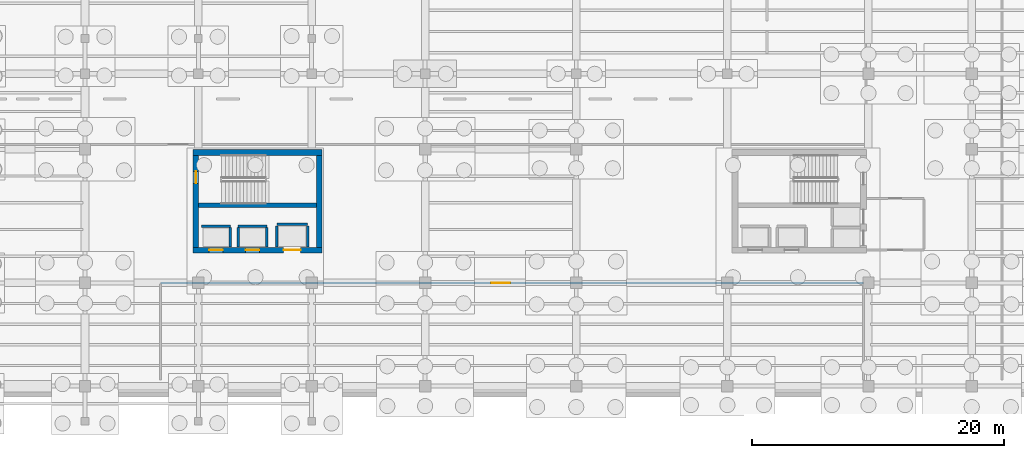
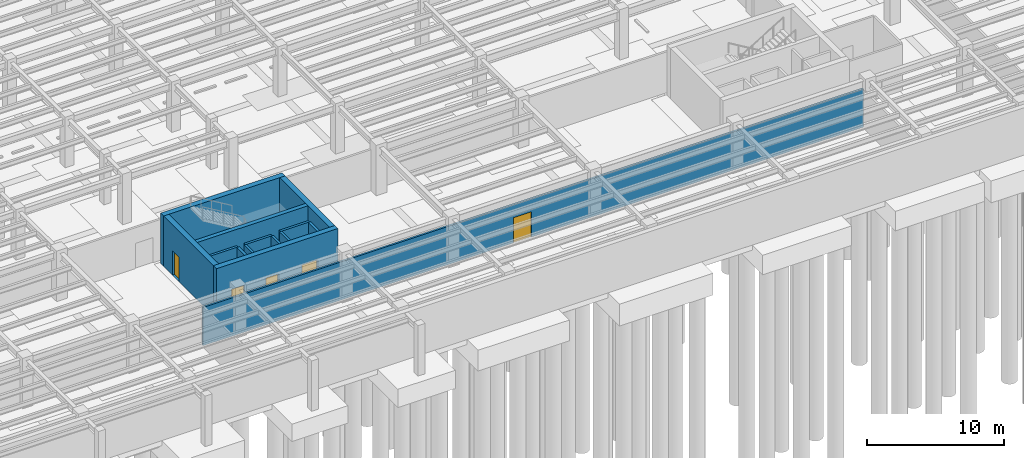
# One storey, part 35 of 49: 14 walls, 5 doors, 5 openings.
"""IFC4 building model written with IfcOpenShell, lengths in metres."""

from ifc_helpers import new_model, si_unit, direction, frame, frame_2d, origin, place, context, subcontext, project, spatial, rectangle, extrude, material, layer, layer_set, type_object, element, fill, save


model = new_model("IFC4")

# Units and contexts
model_context = context("Model", 3, precision=1e-05, world=origin(), true_north=direction((0.0, 1.0)))
body_context = subcontext(model_context, "Body", "Model", "MODEL_VIEW")
ifc_project = project(units=[si_unit("LENGTHUNIT", "METRE"), si_unit("AREAUNIT", "SQUARE_METRE"), si_unit("VOLUMEUNIT", "CUBIC_METRE"), si_unit("PLANEANGLEUNIT", "RADIAN"), si_unit("MASSUNIT", "GRAM", prefix="KILO")], contexts=[model_context])

# Site, building, storey
site_placement = place(None, origin())
site = spatial("IfcSite", under=ifc_project, at=site_placement, CompositionType="ELEMENT")
building_placement = place(site_placement, origin())
building = spatial("IfcBuilding", under=site, at=building_placement, Name="Sollismere Congress Hotel", CompositionType="ELEMENT")
storey_placement = place(building_placement, frame((0.0, 0.0, -4.5)))
storey = spatial("IfcBuildingStorey", under=building, at=storey_placement, Name="B1", CompositionType="ELEMENT", Elevation=-4.5)

# Walls
ifc_material_1 = material(Name="Moisture-Resistant Shaft Gypsum Assembly")
ifc_layer_1 = layer(ifc_material_1, 0.199951171875, Name="Moisture-Resistant Shaft Gypsum Assembly")
ifc_layer_set_1 = layer_set([ifc_layer_1], Name="Moisture-Resistant Shaft Gypsum Assembly")
wall_type_1 = type_object("IfcWallType", Name="WL-PLM200", PredefinedType="PLUMBINGWALL", material=ifc_layer_set_1)
wall_1_placement = place(storey_placement, frame((94.2548828125, 12.68994140625, 0.0), z_axis=(0.0, 0.0, 1.0), x_axis=(1.0, 0.0, 0.0)))
element("IfcWall", 1, at=wall_1_placement, inside=storey, type_object=wall_type_1, Name="Interior wall IW-B1-0214", PredefinedType="PLUMBINGWALL", context=body_context, shape_type="SweptSolid", body=[
    extrude(rectangle(XDim=2.2900390625, YDim=0.199951171875, at=frame_2d((1.14501953125, 0.0))), origin(), (0.0, 0.0, 1.0), 4.175048828125),
])
wall_2_placement = place(storey_placement, frame((96.544921875, 11.037109375, 0.0), z_axis=(0.0, 0.0, 1.0), x_axis=(0.0, 1.0, 0.0)))
element("IfcWall", 2, at=wall_2_placement, inside=storey, type_object=wall_type_1, Name="Interior wall IW-B1-0215", PredefinedType="PLUMBINGWALL", context=body_context, shape_type="SweptSolid", body=[
    extrude(rectangle(XDim=1.540771484375, YDim=0.199951171875, at=frame_2d((0.7705078125, 0.0))), origin(), (0.0, 0.0, 1.0), 4.175048828125),
])
wall_3_placement = place(storey_placement, frame((97.155029296875, 12.68994140625, 0.0), z_axis=(0.0, 0.0, 1.0), x_axis=(1.0, 0.0, 0.0)))
element("IfcWall", 3, at=wall_3_placement, inside=storey, type_object=wall_type_1, Name="Interior wall IW-B1-0216", PredefinedType="PLUMBINGWALL", context=body_context, shape_type="SweptSolid", body=[
    extrude(rectangle(XDim=2.2900390625, YDim=0.199951171875, at=frame_2d((1.14501953125, 0.0))), origin(), (0.0, 0.0, 1.0), 4.175048828125),
])
for number, where, z_axis, x_axis, name in (
    (4, (97.155029296875, 11.037109375, 0.0), (0.0, 0.0, 1.0), (0.0, 1.0, 0.0), "Interior wall IW-B1-0217"),
    (5, (99.445068359375, 11.037109375, 0.0), (0.0, 0.0, 1.0), (0.0, 1.0, 0.0), "Interior wall IW-B1-0218"),
):
    element("IfcWall", number, at=place(storey_placement, frame(where, z_axis=z_axis, x_axis=x_axis)), inside=storey, type_object=wall_type_1, Name=name, PredefinedType="PLUMBINGWALL", context=body_context, shape_type="SweptSolid", body=[
        extrude(rectangle(XDim=1.540771484375, YDim=0.199951171875, at=frame_2d((0.7705078125, 0.0))), origin(), (0.0, 0.0, 1.0), 4.175048828125),
    ])
wall_4_placement = place(storey_placement, frame((100.22998046875, 12.844970703125, 0.0), z_axis=(0.0, 0.0, 1.0), x_axis=(1.0, 0.0, 0.0)))
element("IfcWall", 6, at=wall_4_placement, inside=storey, type_object=wall_type_1, Name="Interior wall IW-B1-0219", PredefinedType="PLUMBINGWALL", context=body_context, shape_type="SweptSolid", body=[
    extrude(rectangle(XDim=2.43994140625, YDim=0.199951171875, at=frame_2d((1.219970703125, 0.0))), origin(), (0.0, 0.0, 1.0), 4.175048828125),
])
for number, where, z_axis, x_axis, name in (
    (7, (100.22998046875, 11.037109375, 0.0), (0.0, 0.0, 1.0), (0.0, 1.0, 0.0), "Interior wall IW-B1-0220"),
    (8, (102.669921875, 11.037109375, 0.0), (0.0, 0.0, 1.0), (0.0, 1.0, 0.0), "Interior wall IW-B1-0221"),
):
    element("IfcWall", number, at=place(storey_placement, frame(where, z_axis=z_axis, x_axis=x_axis)), inside=storey, type_object=wall_type_1, Name=name, PredefinedType="PLUMBINGWALL", context=body_context, shape_type="SweptSolid", body=[
        extrude(rectangle(XDim=1.69580078125, YDim=0.199951171875, at=frame_2d((0.847900390625, 0.0))), origin(), (0.0, 0.0, 1.0), 4.175048828125),
    ])

# Wall, opening, door
ifc_material_2 = material(Name="Fire-Rated Acoustic Gypsum Partition")
ifc_layer_2 = layer(ifc_material_2, 0.1650390625, Name="Fire-Rated Acoustic Gypsum Partition")
ifc_layer_set_2 = layer_set([ifc_layer_2], Name="Fire-Rated Acoustic Gypsum Partition")
wall_type_2 = type_object("IfcWallType", Name="WL-PRT165R", PredefinedType="PARTITIONING", material=ifc_layer_set_2)
wall_5_placement = place(storey_placement, frame((91.0, 8.199951171875, 0.0), z_axis=(0.0, 0.0, 1.0), x_axis=(1.0, 0.0, 0.0)))
wall_5 = element("IfcWall", 9, at=wall_5_placement, inside=storey, type_object=wall_type_2, Name="Interior wall IW-B1-0757", PredefinedType="PARTITIONING", context=body_context, shape_type="SweptSolid", body=[
    extrude(rectangle(XDim=55.800048828125, YDim=0.1650390625, at=frame_2d((27.89990234375, 0.0))), origin(), (0.0, 0.0, 1.0), 3.4130859375),
])
opening_1_placement = place(wall_5_placement, frame((26.25, 0.0, 0.0)))
opening_1 = element("IfcOpeningElement", 10, at=opening_1_placement, cuts=wall_5, Name="Opening D-B1-0249", PredefinedType="OPENING", context=body_context, shape_type="SweptSolid", body=[
    extrude(rectangle(XDim=1.5, YDim=2.25, at=frame_2d((0.75, 1.125))), frame((0.0, 0.092529296875, 0.0), z_axis=(0.0, -1.0, 0.0), x_axis=(1.0, 0.0, 0.0)), (0.0, 0.0, 1.0), 0.18505859375),
])
ifc_material_3 = material(Name="Fire-Rated Double Plant Room Door")
door_type_1 = type_object("IfcDoorType", Name="DR-PL150", OperationType="NOTDEFINED", PredefinedType="DOOR", material=ifc_material_3)
door_1_placement = place(opening_1_placement, origin())
door_1 = element("IfcDoor", 11, at=door_1_placement, inside=storey, type_object=door_type_1, Name="Interior door D-B1-0249", OperationType="DOUBLE_DOOR_SINGLE_SWING", OverallHeight=2.25, OverallWidth=1.5, PredefinedType="DOOR", context=body_context, shape_type="SweptSolid", body=[
    extrude(rectangle(XDim=1.5, YDim=2.25, at=frame_2d((0.75, 1.125))), frame((0.0, 0.02490234375, 0.0), z_axis=(0.0, -1.0, 0.0), x_axis=(1.0, 0.0, 0.0)), (0.0, 0.0, 1.0), 0.050048828125),
])
fill(opening_1, door_1)

# Wall
ifc_material_4 = material(Name="Concrete C50/60", Category="concrete")
ifc_layer_3 = layer(ifc_material_4, 0.35009765625, Name="Concrete C50/60")
ifc_layer_set_3 = layer_set([ifc_layer_3], Name="Concrete C50/60")
wall_type_3 = type_object("IfcWallType", Name="WL-SHR350", PredefinedType="SHEAR", material=ifc_layer_set_3)
wall_6_placement = place(storey_placement, frame((94.02490234375, 14.35009765625, 0.0), z_axis=(0.0, 0.0, 1.0), x_axis=(1.0, 0.0, 0.0)))
element("IfcWall", 12, at=wall_6_placement, inside=storey, type_object=wall_type_3, Name="Interior wall IW-B1-0213", PredefinedType="SHEAR", context=body_context, shape_type="SweptSolid", body=[
    extrude(rectangle(XDim=9.35009765625, YDim=0.35009765625, at=frame_2d((4.675048828125, 0.0))), origin(), (0.0, 0.0, 1.0), 4.5),
])

# Wall, openings, doors
ifc_layer_4 = layer(ifc_material_4, 0.449951171875, Name="Concrete C50/60")
ifc_layer_set_4 = layer_set([ifc_layer_4], Name="Concrete C50/60")
wall_type_4 = type_object("IfcWallType", Name="WL-SHR450", PredefinedType="SHEAR", material=ifc_layer_set_4)
wall_7_placement = place(storey_placement, frame((93.574951171875, 10.800048828125, 0.0), z_axis=(0.0, 0.0, 1.0), x_axis=(1.0, 0.0, 0.0)))
wall_7 = element("IfcWall", 13, at=wall_7_placement, inside=storey, type_object=wall_type_4, Name="Interior wall IW-B1-0209", PredefinedType="SHEAR", context=body_context, shape_type="SweptSolid", body=[
    extrude(rectangle(XDim=10.25, YDim=0.449951171875, at=frame_2d((5.125, 0.0))), origin(), (0.0, 0.0, 1.0), 4.5),
])
opening_2_placement = place(wall_7_placement, frame((1.27490234375, 0.0, 0.0)))
opening_2 = element("IfcOpeningElement", 14, at=opening_2_placement, cuts=wall_7, Name="Opening LD-LP-03-B1", PredefinedType="OPENING", context=body_context, shape_type="SweptSolid", body=[
    extrude(rectangle(XDim=1.10009765625, YDim=2.199951171875, at=frame_2d((0.550048828125, 1.10009765625))), frame((0.0, 0.23486328125, 0.0), z_axis=(0.0, -1.0, 0.0), x_axis=(1.0, 0.0, 0.0)), (0.0, 0.0, 1.0), 0.469970703125),
])
opening_3_placement = place(wall_7_placement, frame((4.175048828125, 0.0, 0.0)))
opening_3 = element("IfcOpeningElement", 15, at=opening_3_placement, cuts=wall_7, Name="Opening LD-LP-04-B1", PredefinedType="OPENING", context=body_context, shape_type="SweptSolid", body=[
    extrude(rectangle(XDim=1.10009765625, YDim=2.199951171875, at=frame_2d((0.550048828125, 1.10009765625))), frame((0.0, 0.23486328125, 0.0), z_axis=(0.0, -1.0, 0.0), x_axis=(1.0, 0.0, 0.0)), (0.0, 0.0, 1.0), 0.469970703125),
])
opening_4_placement = place(wall_7_placement, frame((7.199951171875, 0.0, 0.0)))
opening_4 = element("IfcOpeningElement", 16, at=opening_4_placement, cuts=wall_7, Name="Opening LD-LS-01-B1", PredefinedType="OPENING", context=body_context, shape_type="SweptSolid", body=[
    extrude(rectangle(XDim=1.35009765625, YDim=2.300048828125, at=frame_2d((0.675048828125, 1.14990234375))), frame((0.0, 0.23486328125, 0.0), z_axis=(0.0, -1.0, 0.0), x_axis=(1.0, 0.0, 0.0)), (0.0, 0.0, 1.0), 0.469970703125),
])
ifc_material_5 = material(Name="Brushed Bronze Sliding Elevator Landing Door")
door_type_2 = type_object("IfcDoorType", Name="DR-LD110", OperationType="NOTDEFINED", PredefinedType="DOOR", material=ifc_material_5)
door_2_placement = place(opening_2_placement, origin())
door_2 = element("IfcDoor", 17, at=door_2_placement, inside=storey, type_object=door_type_2, Name="Elevator landing door LD-LP-03-B1", OperationType="SLIDING_TO_LEFT", OverallHeight=2.199951171875, OverallWidth=1.10009765625, PredefinedType="DOOR", context=body_context, shape_type="SweptSolid", body=[
    extrude(rectangle(XDim=1.10009765625, YDim=2.199951171875, at=frame_2d((0.550048828125, 1.10009765625))), frame((0.0, 0.02490234375, 0.0), z_axis=(0.0, -1.0, 0.0), x_axis=(1.0, 0.0, 0.0)), (0.0, 0.0, 1.0), 0.050048828125),
])
fill(opening_2, door_2)
door_3_placement = place(opening_3_placement, origin())
door_3 = element("IfcDoor", 18, at=door_3_placement, inside=storey, type_object=door_type_2, Name="Elevator landing door LD-LP-04-B1", OperationType="SLIDING_TO_RIGHT", OverallHeight=2.199951171875, OverallWidth=1.10009765625, PredefinedType="DOOR", context=body_context, shape_type="SweptSolid", body=[
    extrude(rectangle(XDim=1.10009765625, YDim=2.199951171875, at=frame_2d((0.550048828125, 1.10009765625))), frame((0.0, 0.02490234375, 0.0), z_axis=(0.0, -1.0, 0.0), x_axis=(1.0, 0.0, 0.0)), (0.0, 0.0, 1.0), 0.050048828125),
])
fill(opening_3, door_3)
ifc_material_6 = material(Name="Heavy-Duty Stainless Sliding Service Landing Door")
door_type_3 = type_object("IfcDoorType", Name="DR-LD135", OperationType="NOTDEFINED", PredefinedType="DOOR", material=ifc_material_6)
door_4_placement = place(opening_4_placement, origin())
door_4 = element("IfcDoor", 19, at=door_4_placement, inside=storey, type_object=door_type_3, Name="Elevator landing door LD-LS-01-B1", OperationType="SLIDING_TO_LEFT", OverallHeight=2.300048828125, OverallWidth=1.35009765625, PredefinedType="DOOR", context=body_context, shape_type="SweptSolid", body=[
    extrude(rectangle(XDim=1.35009765625, YDim=2.300048828125, at=frame_2d((0.675048828125, 1.14990234375))), frame((0.0, 0.02490234375, 0.0), z_axis=(0.0, -1.0, 0.0), x_axis=(1.0, 0.0, 0.0)), (0.0, 0.0, 1.0), 0.050048828125),
])
fill(opening_4, door_4)

# Wall
wall_8_placement = place(storey_placement, frame((103.824951171875, 18.550048828125, 0.0), z_axis=(0.0, 0.0, 1.0), x_axis=(-1.0, 0.0, 0.0)))
element("IfcWall", 20, at=wall_8_placement, inside=storey, type_object=wall_type_4, Name="Interior wall IW-B1-0210", PredefinedType="SHEAR", context=body_context, shape_type="SweptSolid", body=[
    extrude(rectangle(XDim=10.25, YDim=0.449951171875, at=frame_2d((5.125, 0.0))), origin(), (0.0, 0.0, 1.0), 4.5),
])

# Wall, opening, door
wall_9_placement = place(storey_placement, frame((93.800048828125, 18.324951171875, 0.0), z_axis=(0.0, 0.0, 1.0), x_axis=(0.0, -1.0, 0.0)))
wall_9 = element("IfcWall", 21, at=wall_9_placement, inside=storey, type_object=wall_type_4, Name="Interior wall IW-B1-0211", PredefinedType="SHEAR", context=body_context, shape_type="SweptSolid", body=[
    extrude(rectangle(XDim=7.300048828125, YDim=0.449951171875, at=frame_2d((3.64990234375, 0.0))), origin(), (0.0, 0.0, 1.0), 4.5),
])
opening_5_placement = place(wall_9_placement, frame((1.27490234375, 0.0, 0.0)))
opening_5 = element("IfcOpeningElement", 22, at=opening_5_placement, cuts=wall_9, Name="Opening D-ST-02-B1", PredefinedType="OPENING", context=body_context, shape_type="SweptSolid", body=[
    extrude(rectangle(XDim=0.949951171875, YDim=2.199951171875, at=frame_2d((0.47509765625, 1.10009765625))), frame((0.0, 0.23486328125, 0.0), z_axis=(0.0, -1.0, 0.0), x_axis=(1.0, 0.0, 0.0)), (0.0, 0.0, 1.0), 0.469970703125),
])
ifc_material_7 = material(Name="Fire-Rated Insulated Steel Door", Category="steel")
door_type_4 = type_object("IfcDoorType", Name="DR-FD90", OperationType="NOTDEFINED", PredefinedType="DOOR", material=ifc_material_7)
door_5_placement = place(opening_5_placement, origin())
door_5 = element("IfcDoor", 23, at=door_5_placement, inside=storey, type_object=door_type_4, Name="Exit stair fire door D-ST-02-B1", OperationType="SINGLE_SWING_RIGHT", OverallHeight=2.199951171875, OverallWidth=0.949951171875, PredefinedType="DOOR", context=body_context, shape_type="SweptSolid", body=[
    extrude(rectangle(XDim=0.949951171875, YDim=2.199951171875, at=frame_2d((0.47509765625, 1.10009765625))), frame((0.0, 0.02490234375, 0.0), z_axis=(0.0, -1.0, 0.0), x_axis=(1.0, 0.0, 0.0)), (0.0, 0.0, 1.0), 0.050048828125),
])
fill(opening_5, door_5)

# Wall
wall_10_placement = place(storey_placement, frame((103.60009765625, 11.02490234375, 0.0), z_axis=(0.0, 0.0, 1.0), x_axis=(0.0, 1.0, 0.0)))
element("IfcWall", 24, at=wall_10_placement, inside=storey, type_object=wall_type_4, Name="Interior wall IW-B1-0212", PredefinedType="SHEAR", context=body_context, shape_type="SweptSolid", body=[
    extrude(rectangle(XDim=7.300048828125, YDim=0.449951171875, at=frame_2d((3.64990234375, 0.0))), origin(), (0.0, 0.0, 1.0), 4.5),
])

save(model, "model.ifc")
